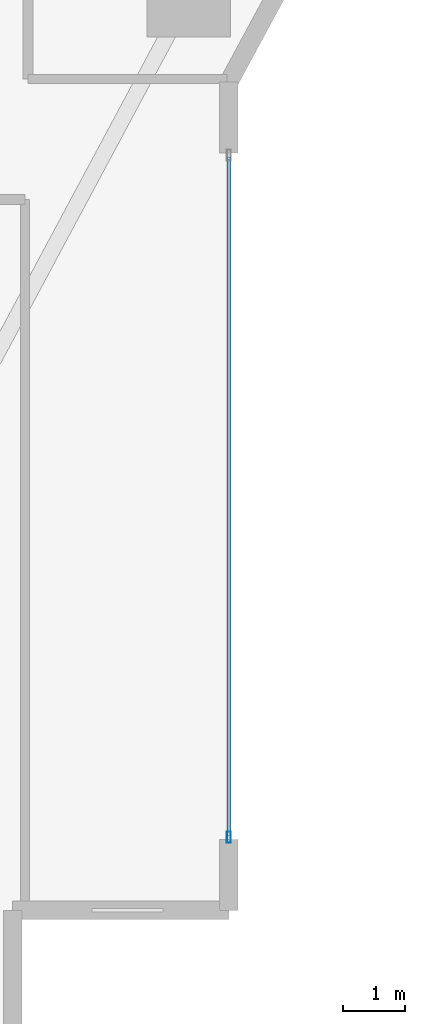
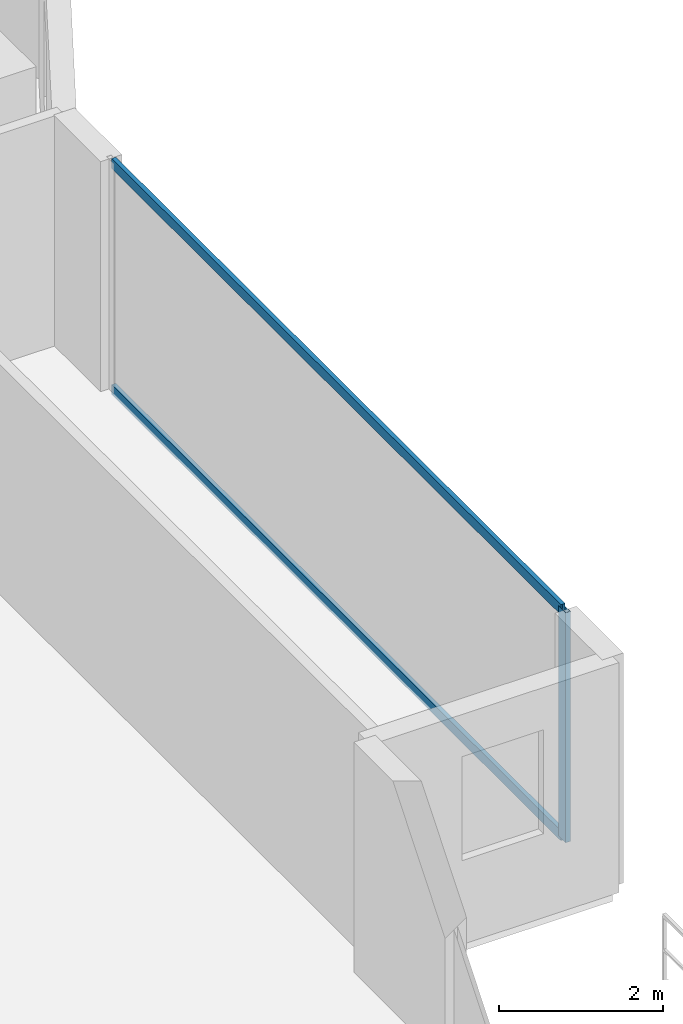
# One storey, part 11 of 30: 3 members, 1 element without a shape of its own.
"""IFC4 building model written with IfcOpenShell, lengths in metres."""

from ifc_helpers import new_model, si_unit, direction, frame, origin, origin_2d, place, context, subcontext, project, spatial, hollow_rectangle, extrude, material, layer, layer_set, material_profile, profile_set, type_object, element, aggregate, save


model = new_model("IFC4")

# Units and contexts
model_context = context("Model", 3, precision=1e-05, world=origin(), true_north=direction((0.0, 1.0)))
body_context = subcontext(model_context, "Body", "Model", "MODEL_VIEW")
ifc_project = project(units=[si_unit("LENGTHUNIT", "METRE"), si_unit("AREAUNIT", "SQUARE_METRE"), si_unit("VOLUMEUNIT", "CUBIC_METRE"), si_unit("PLANEANGLEUNIT", "RADIAN"), si_unit("MASSUNIT", "GRAM", prefix="KILO")], contexts=[model_context])

# Site, building, storey
site_placement = place(None, origin())
site = spatial("IfcSite", under=ifc_project, at=site_placement, CompositionType="ELEMENT")
building_placement = place(site_placement, origin())
building = spatial("IfcBuilding", under=site, at=building_placement, Name="Zuhayl Quay Hotel", CompositionType="ELEMENT")
storey_placement = place(building_placement, frame((0.0, 0.0, 128.5)))
storey = spatial("IfcBuildingStorey", under=building, at=storey_placement, Name="L32", CompositionType="ELEMENT", Elevation=128.5)

# Curtain wall, members
ifc_material_1 = material(Name="Anodised Aluminium 6063-T6", Category="aluminium")
ifc_layer = layer(ifc_material_1, 0.179931640625, Name="Anodised Aluminium 6063-T6", Category="aluminium")
ifc_layer_set = layer_set([ifc_layer], Name="Anodised Aluminium 6063-T6")
curtain_wall_type = type_object("IfcCurtainWallType", Name="CW_SYS_Z2", PredefinedType="USERDEFINED", material=ifc_layer_set)
curtain_wall_placement = place(storey_placement, origin())
curtain_wall = element("IfcCurtainWall", 1, at=curtain_wall_placement, inside=storey, type_object=curtain_wall_type, Name="L32 Curtain Wall ENV_L32_E14_CW1", ObjectType="UNITISED CURTAIN WALL", PredefinedType="USERDEFINED")
ifc_material_2 = material(Name="Black-anodised aluminium 6063-T6", Category="aluminium")
ifc_material_profile_1 = material_profile(ifc_material_2, hollow_rectangle(XDim=0.06494140625, YDim=0.179931640625, WallThickness=0.00341796875, at=origin_2d()), Name="ALU180X65")
ifc_profile_set_1 = profile_set([ifc_material_profile_1], Name="Black-anodised aluminium 6063-T6")
member_type_1 = type_object("IfcMemberType", Name="MB_CW_MUL_180", PredefinedType="MULLION", material=ifc_profile_set_1)
member_1_placement = place(storey_placement, frame((23.89990234375, -10.717529296875, 0.0), z_axis=(0.0, 0.0, 1.0), x_axis=(1.0, 0.0, 0.0)))
member_1 = element("IfcMember", 2, at=member_1_placement, type_object=member_type_1, Name="CW-Z2 mullion 2", PredefinedType="MULLION", context=body_context, shape_type="SweptSolid", body=[
    extrude(hollow_rectangle(XDim=0.06494140625, YDim=0.179931640625, WallThickness=0.00341796875, at=origin_2d()), origin(), (0.0, 0.0, 1.0), 3.429931640625),
])
ifc_material_profile_2 = material_profile(ifc_material_2, hollow_rectangle(XDim=0.06005859375, YDim=0.14990234375, WallThickness=0.00341796875, at=origin_2d()), Name="ALU150X60")
ifc_profile_set_2 = profile_set([ifc_material_profile_2], Name="Black-anodised aluminium 6063-T6")
member_type_2 = type_object("IfcMemberType", Name="MB_CW_TRN_150", PredefinedType="USERDEFINED", material=ifc_profile_set_2)
member_2_placement = place(storey_placement, frame((23.89990234375, 0.284912109375, 0.030029296875), z_axis=(0.0, -1.0, 0.0), x_axis=(1.0, 0.0, 0.0)))
member_2 = element("IfcMember", 3, at=member_2_placement, type_object=member_type_2, Name="CW-Z2 transom 1.1", ObjectType="TRANSOM", PredefinedType="USERDEFINED", context=body_context, shape_type="SweptSolid", body=[
    extrude(hollow_rectangle(XDim=0.06005859375, YDim=0.14990234375, WallThickness=0.00341796875, at=origin_2d()), origin(), (0.0, 0.0, 1.0), 10.969970703125),
])
member_3_placement = place(storey_placement, frame((23.89990234375, 0.284912109375, 3.39990234375), z_axis=(0.0, -1.0, 0.0), x_axis=(1.0, 0.0, 0.0)))
member_3 = element("IfcMember", 4, at=member_3_placement, type_object=member_type_2, Name="CW-Z2 transom 1.2", ObjectType="TRANSOM", PredefinedType="USERDEFINED", context=body_context, shape_type="SweptSolid", body=[
    extrude(hollow_rectangle(XDim=0.06005859375, YDim=0.14990234375, WallThickness=0.00341796875, at=origin_2d()), origin(), (0.0, 0.0, 1.0), 10.969970703125),
])
aggregate(curtain_wall, [member_1, member_2, member_3])

save(model, "model.ifc")
